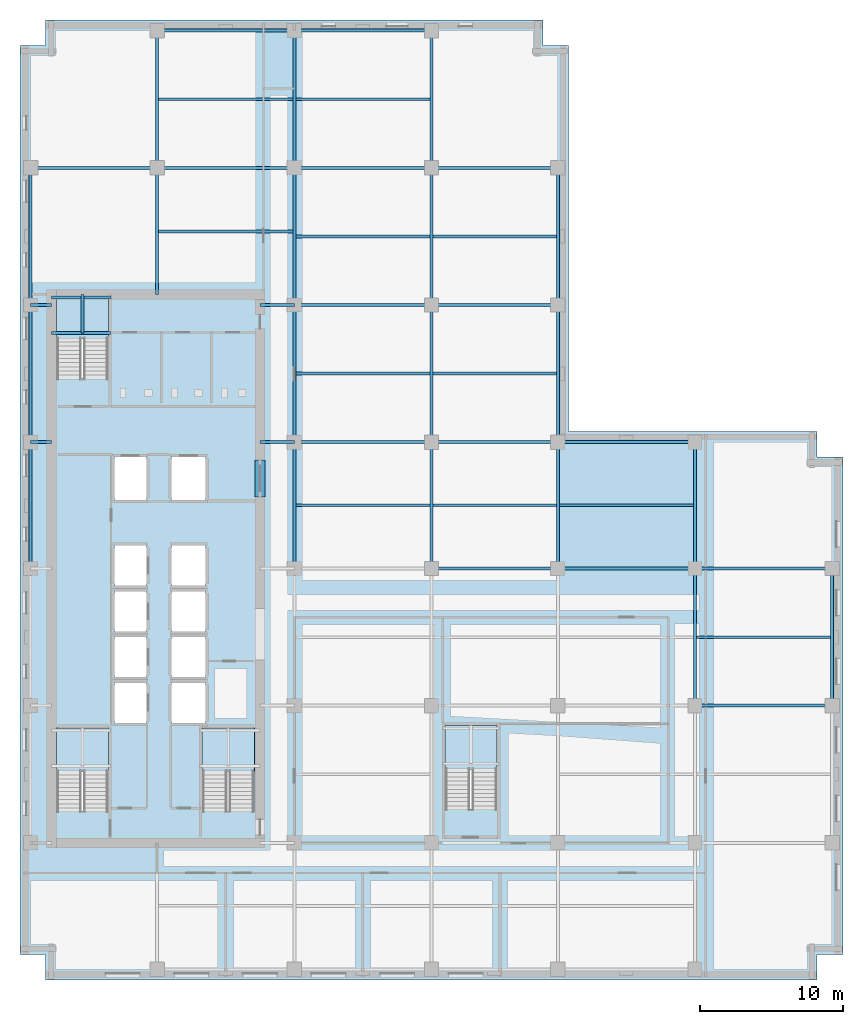
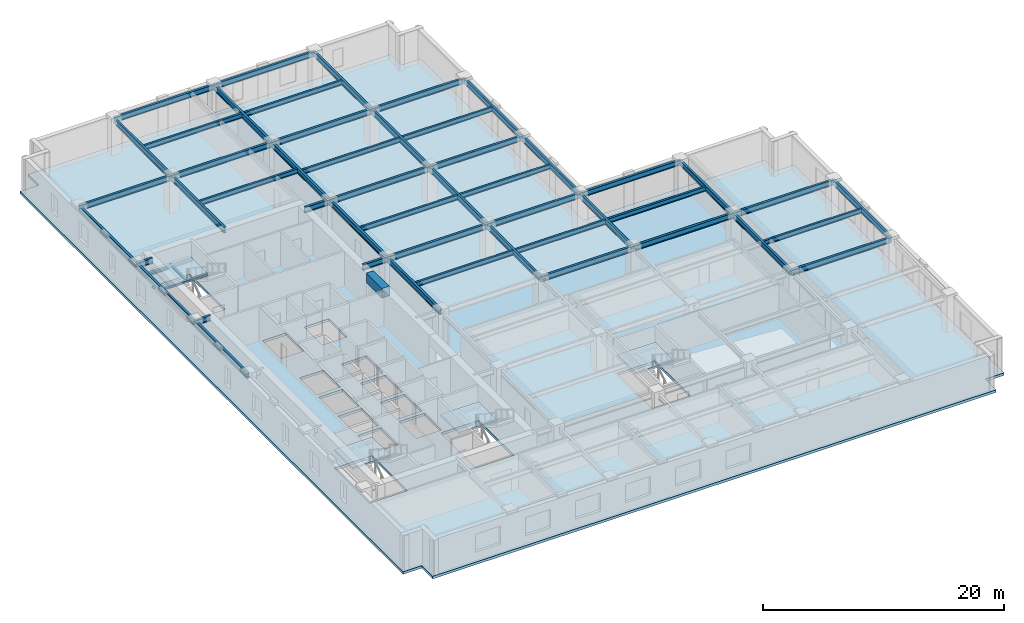
# One storey, part 2 of 11: 53 beams, 5 slabs, 4 elements without a shape of their own.
"""IFC4 building model written with IfcOpenShell, lengths in metres."""

from ifc_helpers import new_model, si_unit, direction, frame, origin, origin_2d, place, context, subcontext, project, spatial, polyline, rectangle, i_section, outline, extrude, material, layer, layer_set, material_profile, profile_set, type_object, element, aggregate, save


model = new_model("IFC4")

# Units and contexts
model_context = context("Model", 3, precision=1e-05, world=origin(), true_north=direction((0.0, 1.0)))
body_context = subcontext(model_context, "Body", "Model", "MODEL_VIEW")
ifc_project = project(units=[si_unit("LENGTHUNIT", "METRE"), si_unit("AREAUNIT", "SQUARE_METRE"), si_unit("VOLUMEUNIT", "CUBIC_METRE"), si_unit("PLANEANGLEUNIT", "RADIAN"), si_unit("MASSUNIT", "GRAM", prefix="KILO")], contexts=[model_context])

# Site, building, storey
site_placement = place(None, origin())
site = spatial("IfcSite", under=ifc_project, at=site_placement, CompositionType="ELEMENT")
building_placement = place(site_placement, origin())
building = spatial("IfcBuilding", under=site, at=building_placement, Name="Norrvale University Quadrangle", CompositionType="ELEMENT")
storey_placement = place(building_placement, frame((0.0, 0.0, 120.39990234375)))
storey = spatial("IfcBuildingStorey", under=building, at=storey_placement, Name="L30", CompositionType="ELEMENT", Elevation=120.39990234375)

# Beams
ifc_material_1 = material(Name="Concrete C80/95", Category="concrete")
ifc_material_profile_1 = material_profile(ifc_material_1, rectangle(XDim=0.699951171875, YDim=0.949951171875, at=origin_2d()), Name="Concrete C80/95")
ifc_profile_set_1 = profile_set([ifc_material_profile_1], Name="Concrete C80/95")
beam_type_1 = type_object("IfcBeamType", Name="Beam Core Link 700x950", PredefinedType="LINTEL", material=ifc_profile_set_1)
beam_1_placement = place(storey_placement, frame((16.800048828125, 33.800048828125, 3.065185546875), z_axis=(0.0, 1.0, 0.0), x_axis=(-1.0, 0.0, 0.0)))
element("IfcBeam", 1, at=beam_1_placement, inside=storey, type_object=beam_type_1, Name="Core Coupling Lintel Beam L30-2", PredefinedType="LINTEL", context=body_context, shape_type="SweptSolid", body=[
    extrude(rectangle(XDim=0.699951171875, YDim=0.949951171875, at=origin_2d()), origin(), (0.0, 0.0, 1.0), 2.599853515625),
])
ifc_material_2 = material(Name="Steel 350W", Category="steel")
ifc_material_profile_2 = material_profile(ifc_material_2, i_section(OverallWidth=0.18994140625, OverallDepth=0.45703125, WebThickness=0.009033203125, FlangeThickness=0.014404296875, FilletRadius=0.012939453125, at=origin_2d()), Name="Steel 350W")
ifc_profile_set_2 = profile_set([ifc_material_profile_2], Name="Steel 350W")
beam_type_2 = type_object("IfcBeamType", Name="Beam Floor W460x74", PredefinedType="JOIST", material=ifc_profile_set_2)
beam_2_placement = place(storey_placement, frame((9.7060546875, 61.64990234375, 3.3115234375), z_axis=(1.0, 0.0, 0.0), x_axis=(0.0, 1.0, 0.0)))
element("IfcBeam", 2, at=beam_2_placement, inside=storey, type_object=beam_type_2, Name="Beam Floor W460x74 BM-L30-J070", PredefinedType="JOIST", context=body_context, shape_type="SweptSolid", body=[
    extrude(i_section(OverallWidth=0.18994140625, OverallDepth=0.45703125, WebThickness=0.009033203125, FlangeThickness=0.014404296875, FilletRadius=0.012939453125, at=origin_2d()), origin(), (0.0, 0.0, 1.0), 9.387939453125),
])
for number, where, z_axis, x_axis, name in (
    (3, (19.305908203125, 33.22509765625, 3.3115234375), (1.0, 0.0, 0.0), (0.0, 1.0, 0.0), "Beam Floor W460x74 BM-L30-J074"),
    (4, (19.305908203125, 42.449951171875, 3.3115234375), (1.0, 0.0, 0.0), (0.0, 1.0, 0.0), "Beam Floor W460x74 BM-L30-J075"),
    (5, (19.305908203125, 52.050048828125, 3.3115234375), (1.0, 0.0, 0.0), (0.0, 1.0, 0.0), "Beam Floor W460x74 BM-L30-J076"),
    (6, (19.305908203125, 61.64990234375, 3.3115234375), (1.0, 0.0, 0.0), (0.0, 1.0, 0.0), "Beam Floor W460x74 BM-L30-J077"),
):
    element("IfcBeam", number, at=place(storey_placement, frame(where, z_axis=z_axis, x_axis=x_axis)), inside=storey, type_object=beam_type_2, Name=name, PredefinedType="JOIST", context=body_context, shape_type="SweptSolid", body=[
        extrude(i_section(OverallWidth=0.18994140625, OverallDepth=0.45703125, WebThickness=0.009033203125, FlangeThickness=0.014404296875, FilletRadius=0.012939453125, at=origin_2d()), origin(), (0.0, 0.0, 1.0), 9.38818359375),
    ])
for number, where, z_axis, x_axis, name in (
    (7, (28.906005859375, 33.22509765625, 3.3115234375), (1.0, 0.0, 0.0), (0.0, 1.0, 0.0), "Beam Floor W460x74 BM-L30-J080"),
    (8, (28.906005859375, 42.449951171875, 3.3115234375), (1.0, 0.0, 0.0), (0.0, 1.0, 0.0), "Beam Floor W460x74 BM-L30-J081"),
    (9, (28.906005859375, 52.050048828125, 3.3115234375), (1.0, 0.0, 0.0), (0.0, 1.0, 0.0), "Beam Floor W460x74 BM-L30-J082"),
):
    element("IfcBeam", number, at=place(storey_placement, frame(where, z_axis=z_axis, x_axis=x_axis)), inside=storey, type_object=beam_type_2, Name=name, PredefinedType="JOIST", context=body_context, shape_type="SweptSolid", body=[
        extrude(i_section(OverallWidth=0.18994140625, OverallDepth=0.45703125, WebThickness=0.009033203125, FlangeThickness=0.014404296875, FilletRadius=0.012939453125, at=origin_2d()), origin(), (0.0, 0.0, 1.0), 8.637939453125),
    ])
for number, where, z_axis, x_axis, name in (
    (10, (37.756103515625, 33.22509765625, 3.3115234375), (1.0, 0.0, 0.0), (0.0, 1.0, 0.0), "Beam Floor W460x74 BM-L30-J086"),
    (11, (47.35595703125, 24.0, 3.3115234375), (1.0, 0.0, 0.0), (0.0, 1.0, 0.0), "Beam Floor W460x74 BM-L30-J088"),
    (12, (9.7060546875, 52.39990234375, 3.3115234375), (1.0, 0.0, 0.0), (0.0, 1.0, 0.0), "Beam Floor W460x74 BM-L30-JCN092"),
):
    element("IfcBeam", number, at=place(storey_placement, frame(where, z_axis=z_axis, x_axis=x_axis)), inside=storey, type_object=beam_type_2, Name=name, PredefinedType="JOIST", context=body_context, shape_type="SweptSolid", body=[
        extrude(i_section(OverallWidth=0.18994140625, OverallDepth=0.45703125, WebThickness=0.009033203125, FlangeThickness=0.014404296875, FilletRadius=0.012939453125, at=origin_2d()), origin(), (0.0, 0.0, 1.0), 9.387939453125),
    ])
ifc_material_profile_3 = material_profile(ifc_material_2, i_section(OverallWidth=0.2119140625, OverallDepth=0.5439453125, WebThickness=0.01318359375, FlangeThickness=0.021240234375, FilletRadius=0.013916015625, at=origin_2d()), Name="Steel 350W")
ifc_profile_set_3 = profile_set([ifc_material_profile_3], Name="Steel 350W")
beam_type_3 = type_object("IfcBeamType", Name="Beam Floor W530x123", PredefinedType="BEAM", material=ifc_profile_set_3)
beam_3_placement = place(storey_placement, frame((47.25, 19.199951171875, 3.26806640625), z_axis=(1.0, 0.0, 0.0), x_axis=(0.0, 1.0, 0.0)))
element("IfcBeam", 13, at=beam_3_placement, inside=storey, type_object=beam_type_3, Name="Beam Floor W530x123 BM-L30-GX012", PredefinedType="BEAM", context=body_context, shape_type="SweptSolid", body=[
    extrude(i_section(OverallWidth=0.2119140625, OverallDepth=0.5439453125, WebThickness=0.01318359375, FlangeThickness=0.021240234375, FilletRadius=0.013916015625, at=origin_2d()), origin(), (0.0, 0.0, 1.0), 9.60009765625),
])
beam_4_placement = place(storey_placement, frame((28.800048828125, 28.800048828125, 3.26806640625), z_axis=(1.0, 0.0, 0.0), x_axis=(0.0, 1.0, 0.0)))
element("IfcBeam", 14, at=beam_4_placement, inside=storey, type_object=beam_type_3, Name="Beam Floor W530x123 BM-L30-GX014", PredefinedType="BEAM", context=body_context, shape_type="SweptSolid", body=[
    extrude(i_section(OverallWidth=0.2119140625, OverallDepth=0.5439453125, WebThickness=0.01318359375, FlangeThickness=0.021240234375, FilletRadius=0.013916015625, at=origin_2d()), origin(), (0.0, 0.0, 1.0), 8.849853515625),
])
for number, where, z_axis, x_axis, name in (
    (15, (37.64990234375, 28.800048828125, 3.26806640625), (1.0, 0.0, 0.0), (0.0, 1.0, 0.0), "Beam Floor W530x123 BM-L30-GX015"),
    (16, (47.25, 28.800048828125, 3.26806640625), (1.0, 0.0, 0.0), (0.0, 1.0, 0.0), "Beam Floor W530x123 BM-L30-GX016"),
    (17, (19.199951171875, 37.64990234375, 3.26806640625), (1.0, 0.0, 0.0), (0.0, 1.0, 0.0), "Beam Floor W530x123 BM-L30-GX017"),
):
    element("IfcBeam", number, at=place(storey_placement, frame(where, z_axis=z_axis, x_axis=x_axis)), inside=storey, type_object=beam_type_3, Name=name, PredefinedType="BEAM", context=body_context, shape_type="SweptSolid", body=[
        extrude(i_section(OverallWidth=0.2119140625, OverallDepth=0.5439453125, WebThickness=0.01318359375, FlangeThickness=0.021240234375, FilletRadius=0.013916015625, at=origin_2d()), origin(), (0.0, 0.0, 1.0), 9.60009765625),
    ])
beam_5_placement = place(storey_placement, frame((28.800048828125, 37.64990234375, 3.26806640625), z_axis=(1.0, 0.0, 0.0), x_axis=(0.0, 1.0, 0.0)))
element("IfcBeam", 18, at=beam_5_placement, inside=storey, type_object=beam_type_3, Name="Beam Floor W530x123 BM-L30-GX018", PredefinedType="BEAM", context=body_context, shape_type="SweptSolid", body=[
    extrude(i_section(OverallWidth=0.2119140625, OverallDepth=0.5439453125, WebThickness=0.01318359375, FlangeThickness=0.021240234375, FilletRadius=0.013916015625, at=origin_2d()), origin(), (0.0, 0.0, 1.0), 8.849853515625),
])
for number, where, z_axis, x_axis, name in (
    (19, (37.64990234375, 37.64990234375, 3.26806640625), (1.0, 0.0, 0.0), (0.0, 1.0, 0.0), "Beam Floor W530x123 BM-L30-GX019"),
    (20, (19.199951171875, 47.25, 3.26806640625), (1.0, 0.0, 0.0), (0.0, 1.0, 0.0), "Beam Floor W530x123 BM-L30-GX020"),
):
    element("IfcBeam", number, at=place(storey_placement, frame(where, z_axis=z_axis, x_axis=x_axis)), inside=storey, type_object=beam_type_3, Name=name, PredefinedType="BEAM", context=body_context, shape_type="SweptSolid", body=[
        extrude(i_section(OverallWidth=0.2119140625, OverallDepth=0.5439453125, WebThickness=0.01318359375, FlangeThickness=0.021240234375, FilletRadius=0.013916015625, at=origin_2d()), origin(), (0.0, 0.0, 1.0), 9.60009765625),
    ])
beam_6_placement = place(storey_placement, frame((28.800048828125, 47.25, 3.26806640625), z_axis=(1.0, 0.0, 0.0), x_axis=(0.0, 1.0, 0.0)))
element("IfcBeam", 21, at=beam_6_placement, inside=storey, type_object=beam_type_3, Name="Beam Floor W530x123 BM-L30-GX021", PredefinedType="BEAM", context=body_context, shape_type="SweptSolid", body=[
    extrude(i_section(OverallWidth=0.2119140625, OverallDepth=0.5439453125, WebThickness=0.01318359375, FlangeThickness=0.021240234375, FilletRadius=0.013916015625, at=origin_2d()), origin(), (0.0, 0.0, 1.0), 8.849853515625),
])
beam_7_placement = place(storey_placement, frame((0.75, 56.85009765625, 3.26806640625), z_axis=(1.0, 0.0, 0.0), x_axis=(0.0, 1.0, 0.0)))
element("IfcBeam", 22, at=beam_7_placement, inside=storey, type_object=beam_type_3, Name="Beam Floor W530x123 BM-L30-GX022", PredefinedType="BEAM", context=body_context, shape_type="SweptSolid", body=[
    extrude(i_section(OverallWidth=0.2119140625, OverallDepth=0.5439453125, WebThickness=0.01318359375, FlangeThickness=0.021240234375, FilletRadius=0.013916015625, at=origin_2d()), origin(), (0.0, 0.0, 1.0), 8.85009765625),
])
beam_8_placement = place(storey_placement, frame((9.60009765625, 56.85009765625, 3.26806640625), z_axis=(1.0, 0.0, 0.0), x_axis=(0.0, 1.0, 0.0)))
element("IfcBeam", 23, at=beam_8_placement, inside=storey, type_object=beam_type_3, Name="Beam Floor W530x123 BM-L30-GX023", PredefinedType="BEAM", context=body_context, shape_type="SweptSolid", body=[
    extrude(i_section(OverallWidth=0.2119140625, OverallDepth=0.5439453125, WebThickness=0.01318359375, FlangeThickness=0.021240234375, FilletRadius=0.013916015625, at=origin_2d()), origin(), (0.0, 0.0, 1.0), 9.599853515625),
])
beam_9_placement = place(storey_placement, frame((19.199951171875, 56.85009765625, 3.26806640625), z_axis=(1.0, 0.0, 0.0), x_axis=(0.0, 1.0, 0.0)))
element("IfcBeam", 24, at=beam_9_placement, inside=storey, type_object=beam_type_3, Name="Beam Floor W530x123 BM-L30-GX024", PredefinedType="BEAM", context=body_context, shape_type="SweptSolid", body=[
    extrude(i_section(OverallWidth=0.2119140625, OverallDepth=0.5439453125, WebThickness=0.01318359375, FlangeThickness=0.021240234375, FilletRadius=0.013916015625, at=origin_2d()), origin(), (0.0, 0.0, 1.0), 9.60009765625),
])
beam_10_placement = place(storey_placement, frame((28.800048828125, 56.85009765625, 3.26806640625), z_axis=(1.0, 0.0, 0.0), x_axis=(0.0, 1.0, 0.0)))
element("IfcBeam", 25, at=beam_10_placement, inside=storey, type_object=beam_type_3, Name="Beam Floor W530x123 BM-L30-GX025", PredefinedType="BEAM", context=body_context, shape_type="SweptSolid", body=[
    extrude(i_section(OverallWidth=0.2119140625, OverallDepth=0.5439453125, WebThickness=0.01318359375, FlangeThickness=0.021240234375, FilletRadius=0.013916015625, at=origin_2d()), origin(), (0.0, 0.0, 1.0), 8.849853515625),
])
beam_11_placement = place(storey_placement, frame((9.60009765625, 66.449951171875, 3.26806640625), z_axis=(1.0, 0.0, 0.0), x_axis=(0.0, 1.0, 0.0)))
element("IfcBeam", 26, at=beam_11_placement, inside=storey, type_object=beam_type_3, Name="Beam Floor W530x123 BM-L30-GX026", PredefinedType="BEAM", context=body_context, shape_type="SweptSolid", body=[
    extrude(i_section(OverallWidth=0.2119140625, OverallDepth=0.5439453125, WebThickness=0.01318359375, FlangeThickness=0.021240234375, FilletRadius=0.013916015625, at=origin_2d()), origin(), (0.0, 0.0, 1.0), 9.599853515625),
])
beam_12_placement = place(storey_placement, frame((19.199951171875, 66.449951171875, 3.26806640625), z_axis=(1.0, 0.0, 0.0), x_axis=(0.0, 1.0, 0.0)))
element("IfcBeam", 27, at=beam_12_placement, inside=storey, type_object=beam_type_3, Name="Beam Floor W530x123 BM-L30-GX027", PredefinedType="BEAM", context=body_context, shape_type="SweptSolid", body=[
    extrude(i_section(OverallWidth=0.2119140625, OverallDepth=0.5439453125, WebThickness=0.01318359375, FlangeThickness=0.021240234375, FilletRadius=0.013916015625, at=origin_2d()), origin(), (0.0, 0.0, 1.0), 9.60009765625),
])
beam_13_placement = place(storey_placement, frame((0.75, 28.800048828125, 3.26806640625), z_axis=(0.0, 1.0, 0.0), x_axis=(-1.0, 0.0, 0.0)))
element("IfcBeam", 28, at=beam_13_placement, inside=storey, type_object=beam_type_3, Name="Beam Floor W530x123 BM-L30-GY030", PredefinedType="BEAM", context=body_context, shape_type="SweptSolid", body=[
    extrude(i_section(OverallWidth=0.2119140625, OverallDepth=0.5439453125, WebThickness=0.01318359375, FlangeThickness=0.021240234375, FilletRadius=0.013916015625, at=origin_2d()), origin(), (0.0, 0.0, 1.0), 8.849853515625),
])
for number, where, z_axis, x_axis, name in (
    (29, (0.75, 37.64990234375, 3.26806640625), (0.0, 1.0, 0.0), (-1.0, 0.0, 0.0), "Beam Floor W530x123 BM-L30-GY031"),
    (30, (0.75, 47.25, 3.26806640625), (0.0, 1.0, 0.0), (-1.0, 0.0, 0.0), "Beam Floor W530x123 BM-L30-GY032"),
):
    element("IfcBeam", number, at=place(storey_placement, frame(where, z_axis=z_axis, x_axis=x_axis)), inside=storey, type_object=beam_type_3, Name=name, PredefinedType="BEAM", context=body_context, shape_type="SweptSolid", body=[
        extrude(i_section(OverallWidth=0.2119140625, OverallDepth=0.5439453125, WebThickness=0.01318359375, FlangeThickness=0.021240234375, FilletRadius=0.013916015625, at=origin_2d()), origin(), (0.0, 0.0, 1.0), 9.60009765625),
    ])
beam_14_placement = place(storey_placement, frame((9.60009765625, 56.85009765625, 3.26806640625), z_axis=(0.0, 1.0, 0.0), x_axis=(-1.0, 0.0, 0.0)))
element("IfcBeam", 31, at=beam_14_placement, inside=storey, type_object=beam_type_3, Name="Beam Floor W530x123 BM-L30-GY033", PredefinedType="BEAM", context=body_context, shape_type="SweptSolid", body=[
    extrude(i_section(OverallWidth=0.2119140625, OverallDepth=0.5439453125, WebThickness=0.01318359375, FlangeThickness=0.021240234375, FilletRadius=0.013916015625, at=origin_2d()), origin(), (0.0, 0.0, 1.0), 9.599853515625),
])
beam_15_placement = place(storey_placement, frame((19.199951171875, 28.800048828125, 3.26806640625), z_axis=(0.0, 1.0, 0.0), x_axis=(-1.0, 0.0, 0.0)))
element("IfcBeam", 32, at=beam_15_placement, inside=storey, type_object=beam_type_3, Name="Beam Floor W530x123 BM-L30-GY037", PredefinedType="BEAM", context=body_context, shape_type="SweptSolid", body=[
    extrude(i_section(OverallWidth=0.2119140625, OverallDepth=0.5439453125, WebThickness=0.01318359375, FlangeThickness=0.021240234375, FilletRadius=0.013916015625, at=origin_2d()), origin(), (0.0, 0.0, 1.0), 8.849853515625),
])
for number, where, z_axis, x_axis, name in (
    (33, (19.199951171875, 37.64990234375, 3.26806640625), (0.0, 1.0, 0.0), (-1.0, 0.0, 0.0), "Beam Floor W530x123 BM-L30-GY038"),
    (34, (19.199951171875, 47.25, 3.26806640625), (0.0, 1.0, 0.0), (-1.0, 0.0, 0.0), "Beam Floor W530x123 BM-L30-GY039"),
):
    element("IfcBeam", number, at=place(storey_placement, frame(where, z_axis=z_axis, x_axis=x_axis)), inside=storey, type_object=beam_type_3, Name=name, PredefinedType="BEAM", context=body_context, shape_type="SweptSolid", body=[
        extrude(i_section(OverallWidth=0.2119140625, OverallDepth=0.5439453125, WebThickness=0.01318359375, FlangeThickness=0.021240234375, FilletRadius=0.013916015625, at=origin_2d()), origin(), (0.0, 0.0, 1.0), 9.60009765625),
    ])
beam_16_placement = place(storey_placement, frame((19.199951171875, 56.85009765625, 3.26806640625), z_axis=(0.0, 1.0, 0.0), x_axis=(-1.0, 0.0, 0.0)))
element("IfcBeam", 35, at=beam_16_placement, inside=storey, type_object=beam_type_3, Name="Beam Floor W530x123 BM-L30-GY040", PredefinedType="BEAM", context=body_context, shape_type="SweptSolid", body=[
    extrude(i_section(OverallWidth=0.2119140625, OverallDepth=0.5439453125, WebThickness=0.01318359375, FlangeThickness=0.021240234375, FilletRadius=0.013916015625, at=origin_2d()), origin(), (0.0, 0.0, 1.0), 9.599853515625),
])
beam_17_placement = place(storey_placement, frame((28.800048828125, 28.800048828125, 3.26806640625), z_axis=(0.0, 1.0, 0.0), x_axis=(-1.0, 0.0, 0.0)))
element("IfcBeam", 36, at=beam_17_placement, inside=storey, type_object=beam_type_3, Name="Beam Floor W530x123 BM-L30-GY044", PredefinedType="BEAM", context=body_context, shape_type="SweptSolid", body=[
    extrude(i_section(OverallWidth=0.2119140625, OverallDepth=0.5439453125, WebThickness=0.01318359375, FlangeThickness=0.021240234375, FilletRadius=0.013916015625, at=origin_2d()), origin(), (0.0, 0.0, 1.0), 8.849853515625),
])
for number, where, z_axis, x_axis, name in (
    (37, (28.800048828125, 37.64990234375, 3.26806640625), (0.0, 1.0, 0.0), (-1.0, 0.0, 0.0), "Beam Floor W530x123 BM-L30-GY045"),
    (38, (28.800048828125, 47.25, 3.26806640625), (0.0, 1.0, 0.0), (-1.0, 0.0, 0.0), "Beam Floor W530x123 BM-L30-GY046"),
):
    element("IfcBeam", number, at=place(storey_placement, frame(where, z_axis=z_axis, x_axis=x_axis)), inside=storey, type_object=beam_type_3, Name=name, PredefinedType="BEAM", context=body_context, shape_type="SweptSolid", body=[
        extrude(i_section(OverallWidth=0.2119140625, OverallDepth=0.5439453125, WebThickness=0.01318359375, FlangeThickness=0.021240234375, FilletRadius=0.013916015625, at=origin_2d()), origin(), (0.0, 0.0, 1.0), 9.60009765625),
    ])
beam_18_placement = place(storey_placement, frame((28.800048828125, 56.85009765625, 3.26806640625), z_axis=(0.0, 1.0, 0.0), x_axis=(-1.0, 0.0, 0.0)))
element("IfcBeam", 39, at=beam_18_placement, inside=storey, type_object=beam_type_3, Name="Beam Floor W530x123 BM-L30-GY047", PredefinedType="BEAM", context=body_context, shape_type="SweptSolid", body=[
    extrude(i_section(OverallWidth=0.2119140625, OverallDepth=0.5439453125, WebThickness=0.01318359375, FlangeThickness=0.021240234375, FilletRadius=0.013916015625, at=origin_2d()), origin(), (0.0, 0.0, 1.0), 9.599853515625),
])
beam_19_placement = place(storey_placement, frame((37.64990234375, 28.800048828125, 3.26806640625), z_axis=(0.0, 1.0, 0.0), x_axis=(-1.0, 0.0, 0.0)))
element("IfcBeam", 40, at=beam_19_placement, inside=storey, type_object=beam_type_3, Name="Beam Floor W530x123 BM-L30-GY051", PredefinedType="BEAM", context=body_context, shape_type="SweptSolid", body=[
    extrude(i_section(OverallWidth=0.2119140625, OverallDepth=0.5439453125, WebThickness=0.01318359375, FlangeThickness=0.021240234375, FilletRadius=0.013916015625, at=origin_2d()), origin(), (0.0, 0.0, 1.0), 8.849853515625),
])
for number, where, z_axis, x_axis, name in (
    (41, (37.64990234375, 37.64990234375, 3.26806640625), (0.0, 1.0, 0.0), (-1.0, 0.0, 0.0), "Beam Floor W530x123 BM-L30-GY052"),
    (42, (37.64990234375, 47.25, 3.26806640625), (0.0, 1.0, 0.0), (-1.0, 0.0, 0.0), "Beam Floor W530x123 BM-L30-GY053"),
    (43, (47.25, 19.199951171875, 3.26806640625), (0.0, 1.0, 0.0), (-1.0, 0.0, 0.0), "Beam Floor W530x123 BM-L30-GY056"),
):
    element("IfcBeam", number, at=place(storey_placement, frame(where, z_axis=z_axis, x_axis=x_axis)), inside=storey, type_object=beam_type_3, Name=name, PredefinedType="BEAM", context=body_context, shape_type="SweptSolid", body=[
        extrude(i_section(OverallWidth=0.2119140625, OverallDepth=0.5439453125, WebThickness=0.01318359375, FlangeThickness=0.021240234375, FilletRadius=0.013916015625, at=origin_2d()), origin(), (0.0, 0.0, 1.0), 9.60009765625),
    ])
beam_20_placement = place(storey_placement, frame((47.25, 28.800048828125, 3.26806640625), z_axis=(0.0, 1.0, 0.0), x_axis=(-1.0, 0.0, 0.0)))
element("IfcBeam", 44, at=beam_20_placement, inside=storey, type_object=beam_type_3, Name="Beam Floor W530x123 BM-L30-GY057", PredefinedType="BEAM", context=body_context, shape_type="SweptSolid", body=[
    extrude(i_section(OverallWidth=0.2119140625, OverallDepth=0.5439453125, WebThickness=0.01318359375, FlangeThickness=0.021240234375, FilletRadius=0.013916015625, at=origin_2d()), origin(), (0.0, 0.0, 1.0), 8.849853515625),
])
beam_21_placement = place(storey_placement, frame((56.85009765625, 19.199951171875, 3.26806640625), z_axis=(0.0, 1.0, 0.0), x_axis=(-1.0, 0.0, 0.0)))
element("IfcBeam", 45, at=beam_21_placement, inside=storey, type_object=beam_type_3, Name="Beam Floor W530x123 BM-L30-GY059", PredefinedType="BEAM", context=body_context, shape_type="SweptSolid", body=[
    extrude(i_section(OverallWidth=0.2119140625, OverallDepth=0.5439453125, WebThickness=0.01318359375, FlangeThickness=0.021240234375, FilletRadius=0.013916015625, at=origin_2d()), origin(), (0.0, 0.0, 1.0), 9.60009765625),
])
beam_22_placement = place(storey_placement, frame((0.75, 37.64990234375, 3.26806640625), z_axis=(1.0, 0.0, 0.0), x_axis=(0.0, 1.0, 0.0)))
element("IfcBeam", 46, at=beam_22_placement, inside=storey, type_object=beam_type_3, Name="Beam Floor W530x123 BM-L30-GCW066", PredefinedType="BEAM", context=body_context, shape_type="SweptSolid", body=[
    extrude(i_section(OverallWidth=0.2119140625, OverallDepth=0.5439453125, WebThickness=0.01318359375, FlangeThickness=0.021240234375, FilletRadius=0.013916015625, at=origin_2d()), origin(), (0.0, 0.0, 1.0), 1.449951171875),
])
beam_23_placement = place(storey_placement, frame((16.800048828125, 37.64990234375, 3.26806640625), z_axis=(1.0, 0.0, 0.0), x_axis=(0.0, 1.0, 0.0)))
element("IfcBeam", 47, at=beam_23_placement, inside=storey, type_object=beam_type_3, Name="Beam Floor W530x123 BM-L30-GCE067", PredefinedType="BEAM", context=body_context, shape_type="SweptSolid", body=[
    extrude(i_section(OverallWidth=0.2119140625, OverallDepth=0.5439453125, WebThickness=0.01318359375, FlangeThickness=0.021240234375, FilletRadius=0.013916015625, at=origin_2d()), origin(), (0.0, 0.0, 1.0), 2.39990234375),
])
beam_24_placement = place(storey_placement, frame((0.75, 47.25, 3.26806640625), z_axis=(1.0, 0.0, 0.0), x_axis=(0.0, 1.0, 0.0)))
element("IfcBeam", 48, at=beam_24_placement, inside=storey, type_object=beam_type_3, Name="Beam Floor W530x123 BM-L30-GCW068", PredefinedType="BEAM", context=body_context, shape_type="SweptSolid", body=[
    extrude(i_section(OverallWidth=0.2119140625, OverallDepth=0.5439453125, WebThickness=0.01318359375, FlangeThickness=0.021240234375, FilletRadius=0.013916015625, at=origin_2d()), origin(), (0.0, 0.0, 1.0), 1.449951171875),
])
beam_25_placement = place(storey_placement, frame((16.800048828125, 47.25, 3.26806640625), z_axis=(1.0, 0.0, 0.0), x_axis=(0.0, 1.0, 0.0)))
element("IfcBeam", 49, at=beam_25_placement, inside=storey, type_object=beam_type_3, Name="Beam Floor W530x123 BM-L30-GCE069", PredefinedType="BEAM", context=body_context, shape_type="SweptSolid", body=[
    extrude(i_section(OverallWidth=0.2119140625, OverallDepth=0.5439453125, WebThickness=0.01318359375, FlangeThickness=0.021240234375, FilletRadius=0.013916015625, at=origin_2d()), origin(), (0.0, 0.0, 1.0), 2.39990234375),
])
beam_26_placement = place(storey_placement, frame((9.60009765625, 48.0, 3.26806640625), z_axis=(0.0, 1.0, 0.0), x_axis=(-1.0, 0.0, 0.0)))
element("IfcBeam", 50, at=beam_26_placement, inside=storey, type_object=beam_type_3, Name="Beam Floor W530x123 BM-L30-GCN091", PredefinedType="BEAM", context=body_context, shape_type="SweptSolid", body=[
    extrude(i_section(OverallWidth=0.2119140625, OverallDepth=0.5439453125, WebThickness=0.01318359375, FlangeThickness=0.021240234375, FilletRadius=0.013916015625, at=origin_2d()), origin(), (0.0, 0.0, 1.0), 8.85009765625),
])
ifc_material_profile_4 = material_profile(ifc_material_2, i_section(OverallWidth=0.201904296875, OverallDepth=0.2470703125, WebThickness=0.00732421875, FlangeThickness=0.010986328125, FilletRadius=0.011962890625, at=origin_2d()), Name="Steel 350W")
ifc_profile_set_4 = profile_set([ifc_material_profile_4], Name="Steel 350W")
beam_type_4 = type_object("IfcBeamType", Name="Beam Stair W250x49", PredefinedType="BEAM", material=ifc_profile_set_4)
for number, where, z_axis, x_axis, name in (
    (51, (2.199951171875, 45.2900390625, 1.57666015625), (1.0, 0.0, 0.0), (0.0, 1.0, 0.0), "Stair Mid-Landing Front Beam ST-02 L30"),
    (52, (2.199951171875, 47.77001953125, 1.57666015625), (1.0, 0.0, 0.0), (0.0, 1.0, 0.0), "Stair Mid-Landing Rear Beam ST-02 L30"),
):
    element("IfcBeam", number, at=place(storey_placement, frame(where, z_axis=z_axis, x_axis=x_axis)), inside=storey, type_object=beam_type_4, Name=name, PredefinedType="BEAM", context=body_context, shape_type="SweptSolid", body=[
        extrude(i_section(OverallWidth=0.201904296875, OverallDepth=0.2470703125, WebThickness=0.00732421875, FlangeThickness=0.010986328125, FilletRadius=0.011962890625, at=origin_2d()), origin(), (0.0, 0.0, 1.0), 4.14013671875),
    ])
ifc_material_profile_5 = material_profile(ifc_material_2, i_section(OverallWidth=0.202880859375, OverallDepth=0.202880859375, WebThickness=0.007080078125, FlangeThickness=0.010986328125, FilletRadius=0.010009765625, at=origin_2d()), Name="Steel 350W")
ifc_profile_set_5 = profile_set([ifc_material_profile_5], Name="Steel 350W")
beam_type_5 = type_object("IfcBeamType", Name="Beam Trim W200x46", PredefinedType="BEAM", material=ifc_profile_set_5)
beam_27_placement = place(storey_placement, frame((4.375, 45.2900390625, 1.5986328125), z_axis=(0.0, 1.0, 0.0), x_axis=(-1.0, 0.0, 0.0)))
element("IfcBeam", 53, at=beam_27_placement, inside=storey, type_object=beam_type_5, Name="Stair Mid-Landing Cross Beam ST-02 L30", PredefinedType="BEAM", context=body_context, shape_type="SweptSolid", body=[
    extrude(i_section(OverallWidth=0.202880859375, OverallDepth=0.202880859375, WebThickness=0.007080078125, FlangeThickness=0.010986328125, FilletRadius=0.010009765625, at=origin_2d()), origin(), (0.0, 0.0, 1.0), 2.7099609375),
])

# Stair, slab
ifc_material_3 = material(Name="Concrete C40/50", Category="concrete")
stair_type = type_object("IfcStairType", Name="Stair Tower Typ 3800", PredefinedType="TWO_STRAIGHT_RUN_STAIR", material=ifc_material_3)
stair_1_placement = place(storey_placement, origin())
stair_1 = element("IfcStair", 54, at=stair_1_placement, inside=storey, type_object=stair_type, Name="Exit Stair ST-01 L30", PredefinedType="TWO_STRAIGHT_RUN_STAIR")
ifc_layer_1 = layer(ifc_material_3, 0.199951171875, Name="Concrete C40/50")
ifc_layer_set_1 = layer_set([ifc_layer_1], Name="Concrete C40/50")
slab_type_1 = type_object("IfcSlabType", Name="Slab Landing 200", PredefinedType="LANDING", material=ifc_layer_set_1)
slab_1_placement = place(storey_placement, frame((0.0, 0.0, 1.7001953125)))
slab_1 = element("IfcSlab", 55, at=slab_1_placement, type_object=slab_type_1, Name="Exit Stair ST-01 L30 Mid Landing", PredefinedType="LANDING", context=body_context, shape_type="SweptSolid", body=[
    extrude(outline(polyline([(2.550048828125, 14.590087890625), (6.199951171875, 14.590087890625), (6.199951171875, 17.64990234375), (2.550048828125, 17.64990234375), (2.550048828125, 14.590087890625)])), origin(), (0.0, 0.0, 1.0), 0.199951171875),
])
aggregate(stair_1, [slab_1])

stair_2_placement = place(storey_placement, origin())
stair_2 = element("IfcStair", 56, at=stair_2_placement, inside=storey, type_object=stair_type, Name="Exit Stair ST-02 L30", PredefinedType="TWO_STRAIGHT_RUN_STAIR")
slab_2_placement = place(storey_placement, frame((0.0, 0.0, 1.7001953125)))
slab_2 = element("IfcSlab", 57, at=slab_2_placement, type_object=slab_type_1, Name="Exit Stair ST-02 L30 Mid Landing", PredefinedType="LANDING", context=body_context, shape_type="SweptSolid", body=[
    extrude(outline(polyline([(2.550048828125, 44.889892578125), (6.199951171875, 44.889892578125), (6.199951171875, 47.949951171875), (2.550048828125, 47.949951171875), (2.550048828125, 44.889892578125)])), origin(), (0.0, 0.0, 1.0), 0.199951171875),
])
aggregate(stair_2, [slab_2])

stair_3_placement = place(storey_placement, origin())
stair_3 = element("IfcStair", 58, at=stair_3_placement, inside=storey, type_object=stair_type, Name="Exit Stair ST-03 L30", PredefinedType="TWO_STRAIGHT_RUN_STAIR")
slab_3_placement = place(storey_placement, frame((0.0, 0.0, 1.7001953125)))
slab_3 = element("IfcSlab", 59, at=slab_3_placement, type_object=slab_type_1, Name="Exit Stair ST-03 L30 Mid Landing", PredefinedType="LANDING", context=body_context, shape_type="SweptSolid", body=[
    extrude(outline(polyline([(12.75, 14.590087890625), (16.39990234375, 14.590087890625), (16.39990234375, 17.64990234375), (12.75, 17.64990234375), (12.75, 14.590087890625)])), origin(), (0.0, 0.0, 1.0), 0.199951171875),
])
aggregate(stair_3, [slab_3])

stair_4_placement = place(storey_placement, origin())
stair_4 = element("IfcStair", 60, at=stair_4_placement, inside=storey, type_object=stair_type, Name="Exit Stair ST-04 L30", PredefinedType="TWO_STRAIGHT_RUN_STAIR")
slab_4_placement = place(storey_placement, frame((0.0, 0.0, 1.7001953125)))
slab_4 = element("IfcSlab", 61, at=slab_4_placement, type_object=slab_type_1, Name="Exit Stair ST-04 L30 Mid Landing", PredefinedType="LANDING", context=body_context, shape_type="SweptSolid", body=[
    extrude(outline(polyline([(29.75, 14.739990234375), (33.39990234375, 14.739990234375), (33.39990234375, 17.800048828125), (29.75, 17.800048828125), (29.75, 14.739990234375)])), origin(), (0.0, 0.0, 1.0), 0.199951171875),
])
aggregate(stair_4, [slab_4])

# Slab
ifc_layer_2 = layer(ifc_material_3, 0.260009765625, Name="Concrete C40/50")
ifc_layer_set_2 = layer_set([ifc_layer_2], Name="Concrete C40/50")
slab_type_2 = type_object("IfcSlabType", Name="Slab Tower Typ 260", PredefinedType="FLOOR", material=ifc_layer_set_2)
slab_5_placement = place(storey_placement, frame((0.0, 0.0, -0.260009765625)))
element("IfcSlab", 62, at=slab_5_placement, inside=storey, type_object=slab_type_2, Name="Tower L30 Floor Slab", PredefinedType="FLOOR", context=body_context, shape_type="SweptSolid", body=[
    extrude(outline(polyline([(1.800048828125, 0.0), (55.800048828125, 0.0), (55.800048828125, 1.800048828125), (57.60009765625, 1.800048828125), (57.60009765625, 36.60009765625), (55.800048828125, 36.60009765625), (55.800048828125, 38.39990234375), (38.39990234375, 38.39990234375), (38.39990234375, 65.39990234375), (36.60009765625, 65.39990234375), (36.60009765625, 67.199951171875), (1.800048828125, 67.199951171875), (1.800048828125, 65.39990234375), (0.0, 65.39990234375), (0.0, 1.800048828125), (1.800048828125, 1.800048828125), (1.800048828125, 0.0)]), holes=[polyline([(2.550048828125, 11.81005859375), (6.199951171875, 11.81005859375), (6.199951171875, 17.64990234375), (2.550048828125, 17.64990234375), (2.550048828125, 11.81005859375)]), polyline([(2.550048828125, 42.110107421875), (6.199951171875, 42.110107421875), (6.199951171875, 47.949951171875), (2.550048828125, 47.949951171875), (2.550048828125, 42.110107421875)]), polyline([(12.75, 11.81005859375), (16.39990234375, 11.81005859375), (16.39990234375, 17.64990234375), (12.75, 17.64990234375), (12.75, 11.81005859375)]), polyline([(29.75, 11.9599609375), (33.39990234375, 11.9599609375), (33.39990234375, 17.800048828125), (29.75, 17.800048828125), (29.75, 11.9599609375)]), polyline([(6.60009765625, 18.0), (8.85009765625, 18.0), (8.85009765625, 20.800048828125), (6.60009765625, 20.800048828125), (6.60009765625, 18.0)]), polyline([(6.60009765625, 21.199951171875), (8.85009765625, 21.199951171875), (8.85009765625, 24.0), (6.60009765625, 24.0), (6.60009765625, 21.199951171875)]), polyline([(6.60009765625, 24.39990234375), (8.85009765625, 24.39990234375), (8.85009765625, 27.199951171875), (6.60009765625, 27.199951171875), (6.60009765625, 24.39990234375)]), polyline([(6.60009765625, 27.60009765625), (8.85009765625, 27.60009765625), (8.85009765625, 30.39990234375), (6.60009765625, 30.39990234375), (6.60009765625, 27.60009765625)]), polyline([(10.60009765625, 18.0), (13.0, 18.0), (13.0, 20.800048828125), (10.60009765625, 20.800048828125), (10.60009765625, 18.0)]), polyline([(10.60009765625, 21.199951171875), (13.0, 21.199951171875), (13.0, 24.0), (10.60009765625, 24.0), (10.60009765625, 21.199951171875)]), polyline([(10.60009765625, 24.39990234375), (13.0, 24.39990234375), (13.0, 27.199951171875), (10.60009765625, 27.199951171875), (10.60009765625, 24.39990234375)]), polyline([(10.60009765625, 27.60009765625), (13.0, 27.60009765625), (13.0, 30.39990234375), (10.60009765625, 30.39990234375), (10.60009765625, 27.60009765625)]), polyline([(6.60009765625, 33.60009765625), (8.85009765625, 33.60009765625), (8.85009765625, 36.60009765625), (6.60009765625, 36.60009765625), (6.60009765625, 33.60009765625)]), polyline([(10.60009765625, 33.60009765625), (13.0, 33.60009765625), (13.0, 36.60009765625), (10.60009765625, 36.60009765625), (10.60009765625, 33.60009765625)])]), origin(), (0.0, 0.0, 1.0), 0.260009765625),
])

save(model, "model.ifc")
